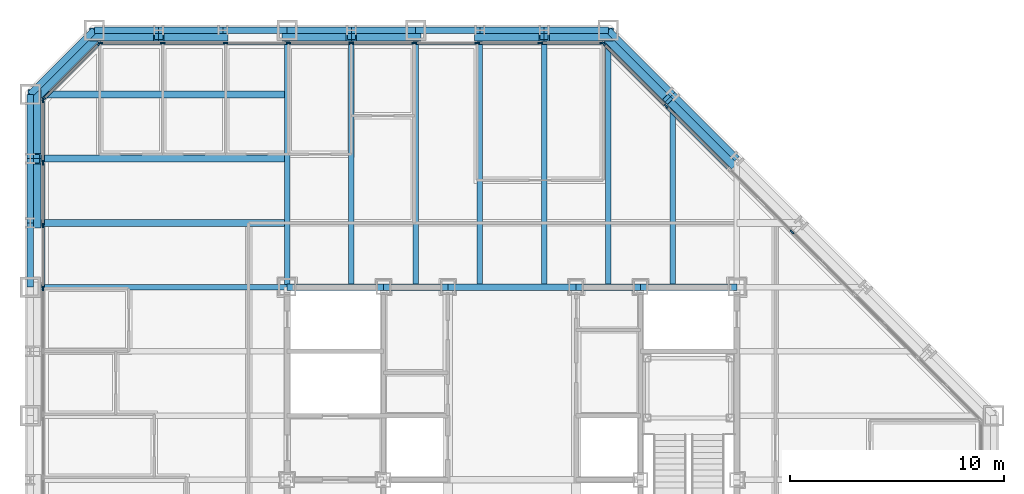
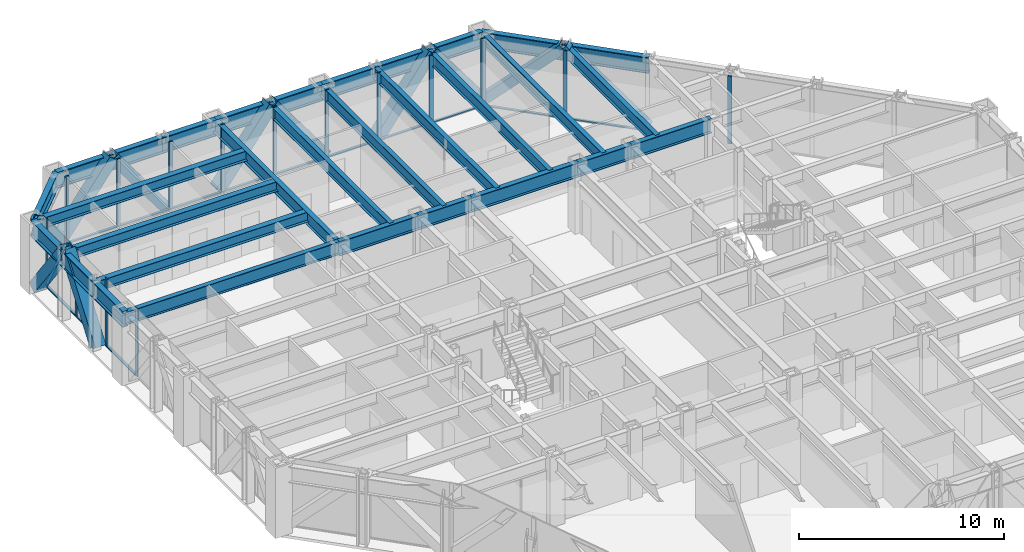
# One storey, part 7 of 16: 43 members, 30 beams, 4 elements without a shape of their own.
"""IFC4 building model written with IfcOpenShell, lengths in metres."""

from ifc_helpers import new_model, si_unit, direction, frame, origin, origin_2d, place, context, subcontext, project, spatial, rectangle, hollow_rectangle, i_section, extrude, material, layer, layer_set, material_profile, profile_set, type_object, element, aggregate, save


model = new_model("IFC4")

# Units and contexts
model_context = context("Model", 3, precision=1e-05, world=origin(), true_north=direction((0.0, 1.0)))
body_context = subcontext(model_context, "Body", "Model", "MODEL_VIEW")
ifc_project = project(units=[si_unit("LENGTHUNIT", "METRE"), si_unit("AREAUNIT", "SQUARE_METRE"), si_unit("VOLUMEUNIT", "CUBIC_METRE"), si_unit("PLANEANGLEUNIT", "RADIAN"), si_unit("MASSUNIT", "GRAM", prefix="KILO")], contexts=[model_context])

# Site, building, storey
site_placement = place(None, origin())
site = spatial("IfcSite", under=ifc_project, at=site_placement, CompositionType="ELEMENT")
building_placement = place(site_placement, origin())
building = spatial("IfcBuilding", under=site, at=building_placement, Name="Chuquiago Exchange Tower", CompositionType="ELEMENT")
storey_placement = place(building_placement, frame((0.0, 0.0, 119.39990234375)))
storey = spatial("IfcBuildingStorey", under=building, at=storey_placement, Name="L25", CompositionType="ELEMENT", Elevation=119.39990234375)

# Beams
ifc_material_1 = material(Name="Steel ASTM A992", Category="steel")
ifc_material_profile_1 = material_profile(ifc_material_1, i_section(OverallWidth=0.25390625, OverallDepth=0.683349609375, WebThickness=0.012451171875, FlangeThickness=0.018798828125, at=origin_2d()), Name="W27X94")
ifc_profile_set_1 = profile_set([ifc_material_profile_1], Name="Steel ASTM A992")
beam_type_1 = type_object("IfcBeamType", Name="B1 W27X94", PredefinedType="BEAM", material=ifc_profile_set_1)
for number, where, z_axis, x_axis, name in (
    (1, (15.0, 33.0, 3.698486328125), (0.0, 1.0, 0.0), (-1.0, 0.0, 0.0), "FB-L26-infill-15_33-15_45-0"),
    (2, (18.0, 33.0, 3.698486328125), (0.0, 1.0, 0.0), (-1.0, 0.0, 0.0), "FB-L26-infill-18_33-18_45-0"),
    (3, (21.0, 33.0, 3.698486328125), (0.0, 1.0, 0.0), (-1.0, 0.0, 0.0), "FB-L26-infill-21_33-21_45-0"),
    (4, (24.0, 33.0, 3.698486328125), (0.0, 1.0, 0.0), (-1.0, 0.0, 0.0), "FB-L26-infill-24_33-24_45-0"),
    (5, (27.0, 33.0, 3.698486328125), (0.0, 1.0, 0.0), (-1.0, 0.0, 0.0), "FB-L26-infill-27_33-27_45-0"),
):
    element("IfcBeam", number, at=place(storey_placement, frame(where, z_axis=z_axis, x_axis=x_axis)), inside=storey, type_object=beam_type_1, Name=name, PredefinedType="BEAM", context=body_context, shape_type="SweptSolid", body=[
        extrude(i_section(OverallWidth=0.25390625, OverallDepth=0.683349609375, WebThickness=0.012451171875, FlangeThickness=0.018798828125, at=origin_2d()), origin(), (0.0, 0.0, 1.0), 12.0),
    ])
beam_1_placement = place(storey_placement, frame((30.0, 33.0, 3.698486328125), z_axis=(0.0, 1.0, 0.0), x_axis=(-1.0, 0.0, 0.0)))
element("IfcBeam", 6, at=beam_1_placement, inside=storey, type_object=beam_type_1, Name="FB-L26-infill-30_33-30_42-0", PredefinedType="BEAM", context=body_context, shape_type="SweptSolid", body=[
    extrude(i_section(OverallWidth=0.25390625, OverallDepth=0.683349609375, WebThickness=0.012451171875, FlangeThickness=0.018798828125, at=origin_2d()), origin(), (0.0, 0.0, 1.0), 9.0),
])
ifc_material_2 = material(Name="Steel ASTM A992", Category="steel")
ifc_material_profile_2 = material_profile(ifc_material_2, i_section(OverallWidth=0.3251953125, OverallDepth=0.612060546875, WebThickness=0.0126953125, FlangeThickness=0.01904296875, at=origin_2d()), Name="W24X104")
ifc_profile_set_2 = profile_set([ifc_material_profile_2], Name="Steel ASTM A992")
beam_type_2 = type_object("IfcBeamType", Name="B2 W24X104", PredefinedType="BEAM", material=ifc_profile_set_2)
for number, where, z_axis, x_axis, name in (
    (7, (12.0, 36.0, 3.73388671875), (-1.0, 0.0, 0.0), (0.0, -1.0, 0.0), "FB-L26-corner-12_36--0_36-0"),
    (8, (12.0, 39.0, 3.73388671875), (-1.0, 0.0, 0.0), (0.0, -1.0, 0.0), "FB-L26-corner-12_39--0_39-0"),
    (9, (12.0, 42.0, 3.73388671875), (-1.0, 0.0, 0.0), (0.0, -1.0, 0.0), "FB-L26-corner-12_42--0_42-0"),
):
    element("IfcBeam", number, at=place(storey_placement, frame(where, z_axis=z_axis, x_axis=x_axis)), inside=storey, type_object=beam_type_2, Name=name, PredefinedType="BEAM", context=body_context, shape_type="SweptSolid", body=[
        extrude(i_section(OverallWidth=0.3251953125, OverallDepth=0.612060546875, WebThickness=0.0126953125, FlangeThickness=0.01904296875, at=origin_2d()), origin(), (0.0, 0.0, 1.0), 12.0),
    ])
ifc_material_3 = material(Name="Steel ASTM A992", Category="steel")
ifc_material_profile_3 = material_profile(ifc_material_3, i_section(OverallWidth=0.2919921875, OverallDepth=0.8583984375, WebThickness=0.01708984375, FlangeThickness=0.031005859375, at=origin_2d()), Name="W33X169")
ifc_profile_set_3 = profile_set([ifc_material_profile_3], Name="Steel ASTM A992")
beam_type_3 = type_object("IfcBeamType", Name="B3 W33X169", PredefinedType="BEAM", material=ifc_profile_set_3)
beam_2_placement = place(storey_placement, frame((12.0, 33.0, 3.61083984375), z_axis=(1.0, 0.0, 0.0), x_axis=(0.0, 1.0, 0.0)))
element("IfcBeam", 10, at=beam_2_placement, inside=storey, type_object=beam_type_3, Name="CB-L26-12_33-16.5_33", PredefinedType="BEAM", context=body_context, shape_type="SweptSolid", body=[
    extrude(i_section(OverallWidth=0.2919921875, OverallDepth=0.8583984375, WebThickness=0.01708984375, FlangeThickness=0.031005859375, at=origin_2d()), origin(), (0.0, 0.0, 1.0), 4.5),
])
beam_3_placement = place(storey_placement, frame((16.5, 33.0, 3.61083984375), z_axis=(1.0, 0.0, 0.0), x_axis=(0.0, 1.0, 0.0)))
element("IfcBeam", 11, at=beam_3_placement, inside=storey, type_object=beam_type_3, Name="CB-L26-16.5_33-19.5_33", PredefinedType="BEAM", context=body_context, shape_type="SweptSolid", body=[
    extrude(i_section(OverallWidth=0.2919921875, OverallDepth=0.8583984375, WebThickness=0.01708984375, FlangeThickness=0.031005859375, at=origin_2d()), origin(), (0.0, 0.0, 1.0), 3.0),
])
beam_4_placement = place(storey_placement, frame((19.5, 33.0, 3.61083984375), z_axis=(1.0, 0.0, 0.0), x_axis=(0.0, 1.0, 0.0)))
element("IfcBeam", 12, at=beam_4_placement, inside=storey, type_object=beam_type_3, Name="CB-L26-19.5_33-25.5_33", PredefinedType="BEAM", context=body_context, shape_type="SweptSolid", body=[
    extrude(i_section(OverallWidth=0.2919921875, OverallDepth=0.8583984375, WebThickness=0.01708984375, FlangeThickness=0.031005859375, at=origin_2d()), origin(), (0.0, 0.0, 1.0), 6.0),
])
beam_5_placement = place(storey_placement, frame((25.5, 33.0, 3.61083984375), z_axis=(1.0, 0.0, 0.0), x_axis=(0.0, 1.0, 0.0)))
element("IfcBeam", 13, at=beam_5_placement, inside=storey, type_object=beam_type_3, Name="CB-L26-25.5_33-28.5_33", PredefinedType="BEAM", context=body_context, shape_type="SweptSolid", body=[
    extrude(i_section(OverallWidth=0.2919921875, OverallDepth=0.8583984375, WebThickness=0.01708984375, FlangeThickness=0.031005859375, at=origin_2d()), origin(), (0.0, 0.0, 1.0), 3.0),
])
beam_6_placement = place(storey_placement, frame((28.5, 33.0, 3.61083984375), z_axis=(1.0, 0.0, 0.0), x_axis=(0.0, 1.0, 0.0)))
element("IfcBeam", 14, at=beam_6_placement, inside=storey, type_object=beam_type_3, Name="CB-L26-28.5_33-33_33", PredefinedType="BEAM", context=body_context, shape_type="SweptSolid", body=[
    extrude(i_section(OverallWidth=0.2919921875, OverallDepth=0.8583984375, WebThickness=0.01708984375, FlangeThickness=0.031005859375, at=origin_2d()), origin(), (0.0, 0.0, 1.0), 4.5),
])

# Curtain wall, members
ifc_material_4 = material(Name="Aluminium curtain wall system", Category="aluminium")
ifc_layer_1 = layer(ifc_material_4, 0.22509765625)
ifc_layer_set_1 = layer_set([ifc_layer_1], Name="CW2 office curtain wall")
curtain_wall_type_1 = type_object("IfcCurtainWallType", Name="CW2 office curtain wall", PredefinedType="NOTDEFINED", material=ifc_layer_set_1)
curtain_wall_1_placement = place(storey_placement, origin())
curtain_wall_1 = element("IfcCurtainWall", 15, at=curtain_wall_1_placement, inside=storey, type_object=curtain_wall_type_1, Name="CW2 curtain wall L25", PredefinedType="NOTDEFINED")
ifc_material_5 = material(Name="Aluminium mullion, pale anodised", Category="aluminium")
ifc_material_profile_4 = material_profile(ifc_material_5, rectangle(XDim=0.06494140625, YDim=0.22509765625, at=origin_2d()), Name="AL 65x225")
ifc_profile_set_4 = profile_set([ifc_material_profile_4], Name="Aluminium mullion, pale anodised")
member_type_1 = type_object("IfcMemberType", Name="CW2-M mullion 65x225", PredefinedType="MULLION", material=ifc_profile_set_4)
member_1_placement = place(storey_placement, frame((26.718994140625, 44.39990234375, 0.0), z_axis=(0.0, 0.0, 1.0), x_axis=(0.0, -1.0, 0.0)))
member_1 = element("IfcMember", 16, at=member_1_placement, type_object=member_type_1, Name="CW2 mullion 1", PredefinedType="MULLION", context=body_context, shape_type="SweptSolid", body=[
    extrude(rectangle(XDim=0.06494140625, YDim=0.22509765625, at=origin_2d()), origin(), (0.0, 0.0, 1.0), 4.0400390625),
])
member_2_placement = place(storey_placement, frame((23.813720703125, 44.39990234375, 0.0), z_axis=(0.0, 0.0, 1.0), x_axis=(0.0, -1.0, 0.0)))
member_2 = element("IfcMember", 17, at=member_2_placement, type_object=member_type_1, Name="CW2 mullion 2", PredefinedType="MULLION", context=body_context, shape_type="SweptSolid", body=[
    extrude(rectangle(XDim=0.06494140625, YDim=0.22509765625, at=origin_2d()), origin(), (0.0, 0.0, 1.0), 4.0400390625),
])
member_3_placement = place(storey_placement, frame((20.875732421875, 44.39990234375, 0.0), z_axis=(0.0, 0.0, 1.0), x_axis=(0.0, -1.0, 0.0)))
member_3 = element("IfcMember", 18, at=member_3_placement, type_object=member_type_1, Name="CW2 mullion 3", PredefinedType="MULLION", context=body_context, shape_type="SweptSolid", body=[
    extrude(rectangle(XDim=0.06494140625, YDim=0.22509765625, at=origin_2d()), origin(), (0.0, 0.0, 1.0), 4.0400390625),
])
member_4_placement = place(storey_placement, frame((17.93798828125, 44.39990234375, 0.0), z_axis=(0.0, 0.0, 1.0), x_axis=(0.0, -1.0, 0.0)))
member_4 = element("IfcMember", 19, at=member_4_placement, type_object=member_type_1, Name="CW2 mullion 4", PredefinedType="MULLION", context=body_context, shape_type="SweptSolid", body=[
    extrude(rectangle(XDim=0.06494140625, YDim=0.22509765625, at=origin_2d()), origin(), (0.0, 0.0, 1.0), 4.0400390625),
])
member_5_placement = place(storey_placement, frame((15.0, 44.39990234375, 0.0), z_axis=(0.0, 0.0, 1.0), x_axis=(0.0, -1.0, 0.0)))
member_5 = element("IfcMember", 20, at=member_5_placement, type_object=member_type_1, Name="CW2 mullion 5", PredefinedType="MULLION", context=body_context, shape_type="SweptSolid", body=[
    extrude(rectangle(XDim=0.06494140625, YDim=0.22509765625, at=origin_2d()), origin(), (0.0, 0.0, 1.0), 4.0400390625),
])
member_6_placement = place(storey_placement, frame((12.06201171875, 44.39990234375, 0.0), z_axis=(0.0, 0.0, 1.0), x_axis=(0.0, -1.0, 0.0)))
member_6 = element("IfcMember", 21, at=member_6_placement, type_object=member_type_1, Name="CW2 mullion 6", PredefinedType="MULLION", context=body_context, shape_type="SweptSolid", body=[
    extrude(rectangle(XDim=0.06494140625, YDim=0.22509765625, at=origin_2d()), origin(), (0.0, 0.0, 1.0), 4.0400390625),
])
member_7_placement = place(storey_placement, frame((9.124267578125, 44.39990234375, 0.0), z_axis=(0.0, 0.0, 1.0), x_axis=(0.0, -1.0, 0.0)))
member_7 = element("IfcMember", 22, at=member_7_placement, type_object=member_type_1, Name="CW2 mullion 7", PredefinedType="MULLION", context=body_context, shape_type="SweptSolid", body=[
    extrude(rectangle(XDim=0.06494140625, YDim=0.22509765625, at=origin_2d()), origin(), (0.0, 0.0, 1.0), 4.0400390625),
])
member_8_placement = place(storey_placement, frame((6.186279296875, 44.39990234375, 0.0), z_axis=(0.0, 0.0, 1.0), x_axis=(0.0, -1.0, 0.0)))
member_8 = element("IfcMember", 23, at=member_8_placement, type_object=member_type_1, Name="CW2 mullion 8", PredefinedType="MULLION", context=body_context, shape_type="SweptSolid", body=[
    extrude(rectangle(XDim=0.06494140625, YDim=0.22509765625, at=origin_2d()), origin(), (0.0, 0.0, 1.0), 4.0400390625),
])
member_9_placement = place(storey_placement, frame((3.281005859375, 44.39990234375, 0.0), z_axis=(0.0, 0.0, 1.0), x_axis=(0.0, -1.0, 0.0)))
member_9 = element("IfcMember", 24, at=member_9_placement, type_object=member_type_1, Name="CW2 mullion 9", PredefinedType="MULLION", context=body_context, shape_type="SweptSolid", body=[
    extrude(rectangle(XDim=0.06494140625, YDim=0.22509765625, at=origin_2d()), origin(), (0.0, 0.0, 1.0), 4.0400390625),
])

curtain_wall_2_placement = place(storey_placement, origin())
curtain_wall_2 = element("IfcCurtainWall", 25, at=curtain_wall_2_placement, inside=storey, type_object=curtain_wall_type_1, Name="CW2 curtain wall L25", PredefinedType="NOTDEFINED")
member_10_placement = place(storey_placement, frame((0.60009765625, 41.718994140625, 0.0), z_axis=(0.0, 0.0, 1.0), x_axis=(1.0, 0.0, 0.0)))
member_10 = element("IfcMember", 26, at=member_10_placement, type_object=member_type_1, Name="CW2 mullion 1", PredefinedType="MULLION", context=body_context, shape_type="SweptSolid", body=[
    extrude(rectangle(XDim=0.06494140625, YDim=0.22509765625, at=origin_2d()), origin(), (0.0, 0.0, 1.0), 4.0400390625),
])
member_11_placement = place(storey_placement, frame((0.60009765625, 38.813720703125, 0.0), z_axis=(0.0, 0.0, 1.0), x_axis=(1.0, 0.0, 0.0)))
member_11 = element("IfcMember", 27, at=member_11_placement, type_object=member_type_1, Name="CW2 mullion 2", PredefinedType="MULLION", context=body_context, shape_type="SweptSolid", body=[
    extrude(rectangle(XDim=0.06494140625, YDim=0.22509765625, at=origin_2d()), origin(), (0.0, 0.0, 1.0), 4.0400390625),
])
member_12_placement = place(storey_placement, frame((0.60009765625, 35.875732421875, 0.0), z_axis=(0.0, 0.0, 1.0), x_axis=(1.0, 0.0, 0.0)))
member_12 = element("IfcMember", 28, at=member_12_placement, type_object=member_type_1, Name="CW2 mullion 3", PredefinedType="MULLION", context=body_context, shape_type="SweptSolid", body=[
    extrude(rectangle(XDim=0.06494140625, YDim=0.22509765625, at=origin_2d()), origin(), (0.0, 0.0, 1.0), 4.0400390625),
])
member_13_placement = place(storey_placement, frame((0.60009765625, 32.93798828125, 0.0), z_axis=(0.0, 0.0, 1.0), x_axis=(1.0, 0.0, 0.0)))
member_13 = element("IfcMember", 29, at=member_13_placement, type_object=member_type_1, Name="CW2 mullion 4", PredefinedType="MULLION", context=body_context, shape_type="SweptSolid", body=[
    extrude(rectangle(XDim=0.06494140625, YDim=0.22509765625, at=origin_2d()), origin(), (0.0, 0.0, 1.0), 4.0400390625),
])

# Member
ifc_material_6 = material(Name="Aluminium transom, pale anodised", Category="aluminium")
ifc_material_profile_5 = material_profile(ifc_material_6, rectangle(XDim=0.139892578125, YDim=0.06494140625, at=origin_2d()), Name="AL 140x65")
ifc_profile_set_5 = profile_set([ifc_material_profile_5], Name="Aluminium transom, pale anodised")
member_type_2 = type_object("IfcMemberType", Name="CW2-T transom 65x140", PredefinedType="MULLION", material=ifc_profile_set_5)
member_14_placement = place(storey_placement, frame((26.6865234375, 44.39990234375, 0.03271484375), z_axis=(-1.0, 0.0, 0.0), x_axis=(0.0, -1.0, 0.0)))
member_14 = element("IfcMember", 30, at=member_14_placement, type_object=member_type_2, Name="CW2 transom 1.1", PredefinedType="MULLION", context=body_context, shape_type="SweptSolid", body=[
    extrude(rectangle(XDim=0.139892578125, YDim=0.06494140625, at=origin_2d()), origin(), (0.0, 0.0, 1.0), 2.84033203125),
])

member_15_placement = place(storey_placement, frame((23.781005859375, 44.39990234375, 0.03271484375), z_axis=(-1.0, 0.0, 0.0), x_axis=(0.0, -1.0, 0.0)))
member_15 = element("IfcMember", 31, at=member_15_placement, type_object=member_type_2, Name="CW2 transom 2.1", PredefinedType="MULLION", context=body_context, shape_type="SweptSolid", body=[
    extrude(rectangle(XDim=0.139892578125, YDim=0.06494140625, at=origin_2d()), origin(), (0.0, 0.0, 1.0), 2.872802734375),
])

member_16_placement = place(storey_placement, frame((20.84326171875, 44.39990234375, 0.03271484375), z_axis=(-1.0, 0.0, 0.0), x_axis=(0.0, -1.0, 0.0)))
member_16 = element("IfcMember", 32, at=member_16_placement, type_object=member_type_2, Name="CW2 transom 3.1", PredefinedType="MULLION", context=body_context, shape_type="SweptSolid", body=[
    extrude(rectangle(XDim=0.139892578125, YDim=0.06494140625, at=origin_2d()), origin(), (0.0, 0.0, 1.0), 2.872802734375),
])

member_17_placement = place(storey_placement, frame((17.9052734375, 44.39990234375, 0.03271484375), z_axis=(-1.0, 0.0, 0.0), x_axis=(0.0, -1.0, 0.0)))
member_17 = element("IfcMember", 33, at=member_17_placement, type_object=member_type_2, Name="CW2 transom 4.1", PredefinedType="MULLION", context=body_context, shape_type="SweptSolid", body=[
    extrude(rectangle(XDim=0.139892578125, YDim=0.06494140625, at=origin_2d()), origin(), (0.0, 0.0, 1.0), 2.872802734375),
])

member_18_placement = place(storey_placement, frame((14.967529296875, 44.39990234375, 0.03271484375), z_axis=(-1.0, 0.0, 0.0), x_axis=(0.0, -1.0, 0.0)))
member_18 = element("IfcMember", 34, at=member_18_placement, type_object=member_type_2, Name="CW2 transom 5.1", PredefinedType="MULLION", context=body_context, shape_type="SweptSolid", body=[
    extrude(rectangle(XDim=0.139892578125, YDim=0.06494140625, at=origin_2d()), origin(), (0.0, 0.0, 1.0), 2.872802734375),
])

member_19_placement = place(storey_placement, frame((12.029541015625, 44.39990234375, 0.03271484375), z_axis=(-1.0, 0.0, 0.0), x_axis=(0.0, -1.0, 0.0)))
member_19 = element("IfcMember", 35, at=member_19_placement, type_object=member_type_2, Name="CW2 transom 6.1", PredefinedType="MULLION", context=body_context, shape_type="SweptSolid", body=[
    extrude(rectangle(XDim=0.139892578125, YDim=0.06494140625, at=origin_2d()), origin(), (0.0, 0.0, 1.0), 2.872802734375),
])

member_20_placement = place(storey_placement, frame((9.091796875, 44.39990234375, 0.03271484375), z_axis=(-1.0, 0.0, 0.0), x_axis=(0.0, -1.0, 0.0)))
member_20 = element("IfcMember", 36, at=member_20_placement, type_object=member_type_2, Name="CW2 transom 7.1", PredefinedType="MULLION", context=body_context, shape_type="SweptSolid", body=[
    extrude(rectangle(XDim=0.139892578125, YDim=0.06494140625, at=origin_2d()), origin(), (0.0, 0.0, 1.0), 2.872802734375),
])

member_21_placement = place(storey_placement, frame((6.15380859375, 44.39990234375, 0.03271484375), z_axis=(-1.0, 0.0, 0.0), x_axis=(0.0, -1.0, 0.0)))
member_21 = element("IfcMember", 37, at=member_21_placement, type_object=member_type_2, Name="CW2 transom 8.1", PredefinedType="MULLION", context=body_context, shape_type="SweptSolid", body=[
    extrude(rectangle(XDim=0.139892578125, YDim=0.06494140625, at=origin_2d()), origin(), (0.0, 0.0, 1.0), 2.84033203125),
])

aggregate(curtain_wall_1, [member_1, member_2, member_3, member_4, member_5, member_6, member_7, member_8, member_9, member_14, member_15, member_16, member_17, member_18, member_19, member_20, member_21])

member_22_placement = place(storey_placement, frame((0.60009765625, 41.6865234375, 0.03271484375), z_axis=(0.0, -1.0, 0.0), x_axis=(1.0, 0.0, 0.0)))
member_22 = element("IfcMember", 38, at=member_22_placement, type_object=member_type_2, Name="CW2 transom 1.1", PredefinedType="MULLION", context=body_context, shape_type="SweptSolid", body=[
    extrude(rectangle(XDim=0.139892578125, YDim=0.06494140625, at=origin_2d()), origin(), (0.0, 0.0, 1.0), 2.84033203125),
])

member_23_placement = place(storey_placement, frame((0.60009765625, 38.781005859375, 0.03271484375), z_axis=(0.0, -1.0, 0.0), x_axis=(1.0, 0.0, 0.0)))
member_23 = element("IfcMember", 39, at=member_23_placement, type_object=member_type_2, Name="CW2 transom 2.1", PredefinedType="MULLION", context=body_context, shape_type="SweptSolid", body=[
    extrude(rectangle(XDim=0.139892578125, YDim=0.06494140625, at=origin_2d()), origin(), (0.0, 0.0, 1.0), 2.872802734375),
])

member_24_placement = place(storey_placement, frame((0.60009765625, 35.84326171875, 0.03271484375), z_axis=(0.0, -1.0, 0.0), x_axis=(1.0, 0.0, 0.0)))
member_24 = element("IfcMember", 40, at=member_24_placement, type_object=member_type_2, Name="CW2 transom 3.1", PredefinedType="MULLION", context=body_context, shape_type="SweptSolid", body=[
    extrude(rectangle(XDim=0.139892578125, YDim=0.06494140625, at=origin_2d()), origin(), (0.0, 0.0, 1.0), 2.872802734375),
])

aggregate(curtain_wall_2, [member_10, member_11, member_12, member_13, member_22, member_23, member_24])

# Curtain wall, members
ifc_material_7 = material(Name="Aluminium curtain wall system", Category="aluminium")
ifc_layer_2 = layer(ifc_material_7, 0.199951171875)
ifc_layer_set_2 = layer_set([ifc_layer_2], Name="CW3 facet curtain wall")
curtain_wall_type_2 = type_object("IfcCurtainWallType", Name="CW3 facet curtain wall", PredefinedType="NOTDEFINED", material=ifc_layer_set_2)
curtain_wall_3_placement = place(storey_placement, origin())
curtain_wall_3 = element("IfcCurtainWall", 41, at=curtain_wall_3_placement, inside=storey, type_object=curtain_wall_type_2, Name="CW3 curtain wall L25", PredefinedType="NOTDEFINED")
ifc_material_8 = material(Name="Aluminium mullion, pale anodised", Category="aluminium")
ifc_material_profile_6 = material_profile(ifc_material_8, rectangle(XDim=0.06494140625, YDim=0.199951171875, at=origin_2d()), Name="AL 65x200")
ifc_profile_set_6 = profile_set([ifc_material_profile_6], Name="Aluminium mullion, pale anodised")
member_type_3 = type_object("IfcMemberType", Name="CW3-M mullion 65x200", PredefinedType="MULLION", material=ifc_profile_set_6)
member_25_placement = place(storey_placement, frame((35.57568359375, 35.57568359375, 0.0), z_axis=(0.0, 0.0, 1.0), x_axis=(-0.707106781187, -0.707106781187, 0.0)))
member_25 = element("IfcMember", 42, at=member_25_placement, type_object=member_type_3, Name="CW3 mullion 4", PredefinedType="MULLION", context=body_context, shape_type="SweptSolid", body=[
    extrude(rectangle(XDim=0.06494140625, YDim=0.199951171875, at=origin_2d()), origin(), (0.0, 0.0, 1.0), 4.0400390625),
])
member_26_placement = place(storey_placement, frame((29.69287109375, 41.45849609375, 0.0), z_axis=(0.0, 0.0, 1.0), x_axis=(-0.707106781187, -0.707106781187, 0.0)))
member_26 = element("IfcMember", 43, at=member_26_placement, type_object=member_type_3, Name="CW3 mullion 6", PredefinedType="MULLION", context=body_context, shape_type="SweptSolid", body=[
    extrude(rectangle(XDim=0.06494140625, YDim=0.199951171875, at=origin_2d()), origin(), (0.0, 0.0, 1.0), 4.0400390625),
])
member_27_placement = place(storey_placement, frame((26.7744140625, 44.376953125, 0.0), z_axis=(0.0, 0.0, 1.0), x_axis=(-0.707106781187, -0.707106781187, 0.0)))
member_27 = element("IfcMember", 44, at=member_27_placement, type_object=member_type_3, Name="CW3 mullion 7", PredefinedType="MULLION", context=body_context, shape_type="SweptSolid", body=[
    extrude(rectangle(XDim=0.06494140625, YDim=0.199951171875, at=origin_2d()), origin(), (0.0, 0.0, 1.0), 4.0400390625),
])

curtain_wall_4_placement = place(storey_placement, origin())
curtain_wall_4 = element("IfcCurtainWall", 45, at=curtain_wall_4_placement, inside=storey, type_object=curtain_wall_type_2, Name="CW3 curtain wall L25", PredefinedType="NOTDEFINED")
member_28_placement = place(storey_placement, frame((3.2255859375, 44.376953125, 0.0), z_axis=(0.0, 0.0, 1.0), x_axis=(0.707106781187, -0.707106781187, 0.0)))
member_28 = element("IfcMember", 46, at=member_28_placement, type_object=member_type_3, Name="CW3 mullion 1", PredefinedType="MULLION", context=body_context, shape_type="SweptSolid", body=[
    extrude(rectangle(XDim=0.06494140625, YDim=0.199951171875, at=origin_2d()), origin(), (0.0, 0.0, 1.0), 4.0400390625),
])
member_29_placement = place(storey_placement, frame((0.623046875, 41.7744140625, 0.0), z_axis=(0.0, 0.0, 1.0), x_axis=(0.707106781187, -0.707106781187, 0.0)))
member_29 = element("IfcMember", 47, at=member_29_placement, type_object=member_type_3, Name="CW3 mullion 2", PredefinedType="MULLION", context=body_context, shape_type="SweptSolid", body=[
    extrude(rectangle(XDim=0.06494140625, YDim=0.199951171875, at=origin_2d()), origin(), (0.0, 0.0, 1.0), 4.0400390625),
])

# Member
ifc_material_9 = material(Name="Aluminium transom, pale anodised", Category="aluminium")
ifc_material_profile_7 = material_profile(ifc_material_9, rectangle(XDim=0.139892578125, YDim=0.06494140625, at=origin_2d()), Name="AL 140x65")
ifc_profile_set_7 = profile_set([ifc_material_profile_7], Name="Aluminium transom, pale anodised")
member_type_4 = type_object("IfcMemberType", Name="CW3-T transom 65x140", PredefinedType="MULLION", material=ifc_profile_set_7)
member_30_placement = place(storey_placement, frame((32.611328125, 38.5400390625, 0.03271484375), z_axis=(-0.707106781187, 0.707106781187, 0.0), x_axis=(-0.707106781187, -0.707106781187, 0.0)))
member_30 = element("IfcMember", 48, at=member_30_placement, type_object=member_type_4, Name="CW3 transom 5.1", PredefinedType="MULLION", context=body_context, shape_type="SweptSolid", body=[
    extrude(rectangle(XDim=0.139892578125, YDim=0.06494140625, at=origin_2d()), origin(), (0.0, 0.0, 1.0), 4.094970703125),
])

member_31_placement = place(storey_placement, frame((29.669921875, 41.4814453125, 0.03271484375), z_axis=(-0.707106781187, 0.707106781187, 0.0), x_axis=(-0.707106781187, -0.707106781187, 0.0)))
member_31 = element("IfcMember", 49, at=member_31_placement, type_object=member_type_4, Name="CW3 transom 6.1", PredefinedType="MULLION", context=body_context, shape_type="SweptSolid", body=[
    extrude(rectangle(XDim=0.139892578125, YDim=0.06494140625, at=origin_2d()), origin(), (0.0, 0.0, 1.0), 4.0625),
])

aggregate(curtain_wall_3, [member_25, member_26, member_27, member_30, member_31])

member_32_placement = place(storey_placement, frame((3.20263671875, 44.35400390625, 0.03271484375), z_axis=(-0.707106781187, -0.707106781187, 0.0), x_axis=(0.707106781187, -0.707106781187, 0.0)))
member_32 = element("IfcMember", 50, at=member_32_placement, type_object=member_type_4, Name="CW3 transom 1.1", PredefinedType="MULLION", context=body_context, shape_type="SweptSolid", body=[
    extrude(rectangle(XDim=0.139892578125, YDim=0.06494140625, at=origin_2d()), origin(), (0.0, 0.0, 1.0), 3.61572265625),
])

aggregate(curtain_wall_4, [member_28, member_29, member_32])

# Beams
ifc_material_10 = material(Name="Steel ASTM A992", Category="steel")
ifc_material_profile_8 = material_profile(ifc_material_10, i_section(OverallWidth=0.2666015625, OverallDepth=0.76953125, WebThickness=0.015625, FlangeThickness=0.025390625, at=origin_2d()), Name="W30X132")
ifc_profile_set_8 = profile_set([ifc_material_profile_8], Name="Steel ASTM A992")
beam_type_4 = type_object("IfcBeamType", Name="G1 W30X132", PredefinedType="BEAM", material=ifc_profile_set_8)
for number, where, z_axis, x_axis, name in (
    (51, (12.0, 33.0, 3.6552734375), (0.0, 1.0, 0.0), (-1.0, 0.0, 0.0), "FB-L26-girder-12_33-12_45-0"),
    (52, (12.0, 33.0, 3.6552734375), (-1.0, 0.0, 0.0), (0.0, -1.0, 0.0), "FB-L26-girder-12_33--0_33-0"),
):
    element("IfcBeam", number, at=place(storey_placement, frame(where, z_axis=z_axis, x_axis=x_axis)), inside=storey, type_object=beam_type_4, Name=name, PredefinedType="BEAM", context=body_context, shape_type="SweptSolid", body=[
        extrude(i_section(OverallWidth=0.2666015625, OverallDepth=0.76953125, WebThickness=0.015625, FlangeThickness=0.025390625, at=origin_2d()), origin(), (0.0, 0.0, 1.0), 12.0),
    ])

# Members
ifc_material_11 = material(Name="Steel ASTM A500 Grade C", Category="steel")
ifc_material_profile_9 = material_profile(ifc_material_11, hollow_rectangle(XDim=0.508056640625, YDim=0.508056640625, WallThickness=0.017822265625, at=origin_2d()), Name="HSS20X20X3/4")
ifc_profile_set_9 = profile_set([ifc_material_profile_9], Name="Steel ASTM A500 Grade C")
member_type_5 = type_object("IfcMemberType", Name="LB1 HSS20X20X3/4", PredefinedType="BRACE", material=ifc_profile_set_9)
for number, where, z_axis, x_axis, name in (
    (53, (32.822509765625, 38.822509765625, 0.0), (-0.512077265487, 0.512077265487, 0.689604051861), (-0.707106781187, -0.707106781187, 0.0), "LB-L25-33_39-30_42"),
    (54, (26.822509765625, 44.822509765625, 0.0), (0.512077265487, -0.512077265487, 0.689604051861), (0.707106781187, 0.707106781187, 0.0), "LB-L25-30_42-27_45"),
    (55, (3.177490234375, 44.822509765625, 0.0), (-0.512077265487, -0.512077265487, 0.689604051861), (0.707106781187, -0.707106781187, 0.0), "LB-L25-3_45-0_42"),
):
    element("IfcMember", number, at=place(storey_placement, frame(where, z_axis=z_axis, x_axis=x_axis)), inside=storey, type_object=member_type_5, Name=name, PredefinedType="BRACE", context=body_context, shape_type="SweptSolid", body=[
        extrude(hollow_rectangle(XDim=0.508056640625, YDim=0.508056640625, WallThickness=0.017822265625, at=origin_2d()), origin(), (0.0, 0.0, 1.0), 5.8583984375),
    ])
ifc_material_12 = material(Name="Steel ASTM A572 Grade 50", Category="steel")
ifc_material_profile_10 = material_profile(ifc_material_12, hollow_rectangle(XDim=0.60009765625, YDim=0.60009765625, WallThickness=0.06005859375, at=origin_2d()), Name="BOX600X600X60")
ifc_profile_set_10 = profile_set([ifc_material_profile_10], Name="Steel ASTM A572 Grade 50")
member_type_6 = type_object("IfcMemberType", Name="MB2 BOX600X600X60", PredefinedType="BRACE", material=ifc_profile_set_10)
for number, where, z_axis, x_axis, name in (
    (56, (27.0, 44.794921875, 0.0), (-0.596173923302, 0.0, 0.802855312728), (0.0, -1.0, 0.0), "Mega diagonal L25 N face"),
    (57, (21.0, 44.794921875, 0.0), (0.596173923302, 0.0, 0.802855312728), (0.0, 1.0, 0.0), "Mega diagonal L25 N face"),
    (58, (18.0, 44.794921875, 0.0), (-0.596173923302, 0.0, 0.802855312728), (0.0, -1.0, 0.0), "Mega diagonal L25 N face"),
    (59, (12.0, 44.794921875, 0.0), (0.596173923302, 0.0, 0.802855312728), (0.0, 1.0, 0.0), "Mega diagonal L25 N face"),
    (60, (9.0, 44.794921875, 0.0), (-0.596173923302, 0.0, 0.802855312728), (0.0, -1.0, 0.0), "Mega diagonal L25 N face"),
    (61, (3.0, 44.794921875, 0.0), (0.596173923302, 0.0, 0.802855312728), (0.0, 1.0, 0.0), "Mega diagonal L25 N face"),
    (62, (0.205078125, 42.0, 0.0), (0.0, -0.596173923302, 0.802855312728), (1.0, 0.0, 0.0), "Mega diagonal L25 W face"),
    (63, (0.205078125, 36.0, 0.0), (0.0, 0.596173923302, 0.802855312728), (-1.0, 0.0, 0.0), "Mega diagonal L25 W face"),
):
    element("IfcMember", number, at=place(storey_placement, frame(where, z_axis=z_axis, x_axis=x_axis)), inside=storey, type_object=member_type_6, Name=name, PredefinedType="BRACE", context=body_context, shape_type="SweptSolid", body=[
        extrude(hollow_rectangle(XDim=0.60009765625, YDim=0.60009765625, WallThickness=0.06005859375, at=origin_2d()), origin(), (0.0, 0.0, 1.0), 5.031982421875),
    ])

# Beams
ifc_material_13 = material(Name="Steel ASTM A992", Category="steel")
ifc_material_profile_11 = material_profile(ifc_material_13, i_section(OverallWidth=0.309814453125, OverallDepth=0.949951171875, WebThickness=0.0244140625, FlangeThickness=0.0439453125, at=origin_2d()), Name="W36X256")
ifc_profile_set_11 = profile_set([ifc_material_profile_11], Name="Steel ASTM A992")
beam_type_5 = type_object("IfcBeamType", Name="SP2 W36X256", PredefinedType="SPANDREL", material=ifc_profile_set_11)
for number, where, z_axis, x_axis, name in (
    (64, (33.0, 39.0, 3.565185546875), (-0.707106781187, 0.707106781187, 0.0), (-0.707106781187, -0.707106781187, 0.0), "SPB-L26-33_39-30_42"),
    (65, (30.0, 42.0, 3.565185546875), (-0.707106781187, 0.707106781187, 0.0), (-0.707106781187, -0.707106781187, 0.0), "SPB-L26-30_42-27_45"),
):
    element("IfcBeam", number, at=place(storey_placement, frame(where, z_axis=z_axis, x_axis=x_axis)), inside=storey, type_object=beam_type_5, Name=name, PredefinedType="SPANDREL", context=body_context, shape_type="SweptSolid", body=[
        extrude(i_section(OverallWidth=0.309814453125, OverallDepth=0.949951171875, WebThickness=0.0244140625, FlangeThickness=0.0439453125, at=origin_2d()), origin(), (0.0, 0.0, 1.0), 4.24267578125),
    ])
for number, where, z_axis, x_axis, name in (
    (66, (27.0, 45.0, 3.565185546875), (-1.0, 0.0, 0.0), (0.0, -1.0, 0.0), "SPB-L26-27_45-24_45"),
    (67, (24.0, 45.0, 3.565185546875), (-1.0, 0.0, 0.0), (0.0, -1.0, 0.0), "SPB-L26-24_45-21_45"),
    (68, (21.0, 45.0, 3.565185546875), (-1.0, 0.0, 0.0), (0.0, -1.0, 0.0), "SPB-L26-21_45-18_45"),
    (69, (18.0, 45.0, 3.565185546875), (-1.0, 0.0, 0.0), (0.0, -1.0, 0.0), "SPB-L26-18_45-15_45"),
    (70, (15.0, 45.0, 3.565185546875), (-1.0, 0.0, 0.0), (0.0, -1.0, 0.0), "SPB-L26-15_45-12_45"),
    (71, (12.0, 45.0, 3.565185546875), (-1.0, 0.0, 0.0), (0.0, -1.0, 0.0), "SPB-L26-12_45-9_45"),
    (72, (9.0, 45.0, 3.565185546875), (-1.0, 0.0, 0.0), (0.0, -1.0, 0.0), "SPB-L26-9_45-6_45"),
    (73, (6.0, 45.0, 3.565185546875), (-1.0, 0.0, 0.0), (0.0, -1.0, 0.0), "SPB-L26-6_45-3_45"),
):
    element("IfcBeam", number, at=place(storey_placement, frame(where, z_axis=z_axis, x_axis=x_axis)), inside=storey, type_object=beam_type_5, Name=name, PredefinedType="SPANDREL", context=body_context, shape_type="SweptSolid", body=[
        extrude(i_section(OverallWidth=0.309814453125, OverallDepth=0.949951171875, WebThickness=0.0244140625, FlangeThickness=0.0439453125, at=origin_2d()), origin(), (0.0, 0.0, 1.0), 3.0),
    ])
beam_7_placement = place(storey_placement, frame((3.0, 45.0, 3.565185546875), z_axis=(-0.707106781187, -0.707106781187, 0.0), x_axis=(0.707106781187, -0.707106781187, 0.0)))
element("IfcBeam", 74, at=beam_7_placement, inside=storey, type_object=beam_type_5, Name="SPB-L26-3_45-0_42", PredefinedType="SPANDREL", context=body_context, shape_type="SweptSolid", body=[
    extrude(i_section(OverallWidth=0.309814453125, OverallDepth=0.949951171875, WebThickness=0.0244140625, FlangeThickness=0.0439453125, at=origin_2d()), origin(), (0.0, 0.0, 1.0), 4.24267578125),
])
for number, where, z_axis, x_axis, name in (
    (75, (0.0, 42.0, 3.565185546875), (0.0, -1.0, 0.0), (1.0, 0.0, 0.0), "SPB-L26-0_42-0_39"),
    (76, (0.0, 39.0, 3.565185546875), (0.0, -1.0, 0.0), (1.0, 0.0, 0.0), "SPB-L26-0_39-0_36"),
    (77, (0.0, 36.0, 3.565185546875), (0.0, -1.0, 0.0), (1.0, 0.0, 0.0), "SPB-L26-0_36-0_33"),
):
    element("IfcBeam", number, at=place(storey_placement, frame(where, z_axis=z_axis, x_axis=x_axis)), inside=storey, type_object=beam_type_5, Name=name, PredefinedType="SPANDREL", context=body_context, shape_type="SweptSolid", body=[
        extrude(i_section(OverallWidth=0.309814453125, OverallDepth=0.949951171875, WebThickness=0.0244140625, FlangeThickness=0.0439453125, at=origin_2d()), origin(), (0.0, 0.0, 1.0), 3.0),
    ])

save(model, "model.ifc")
